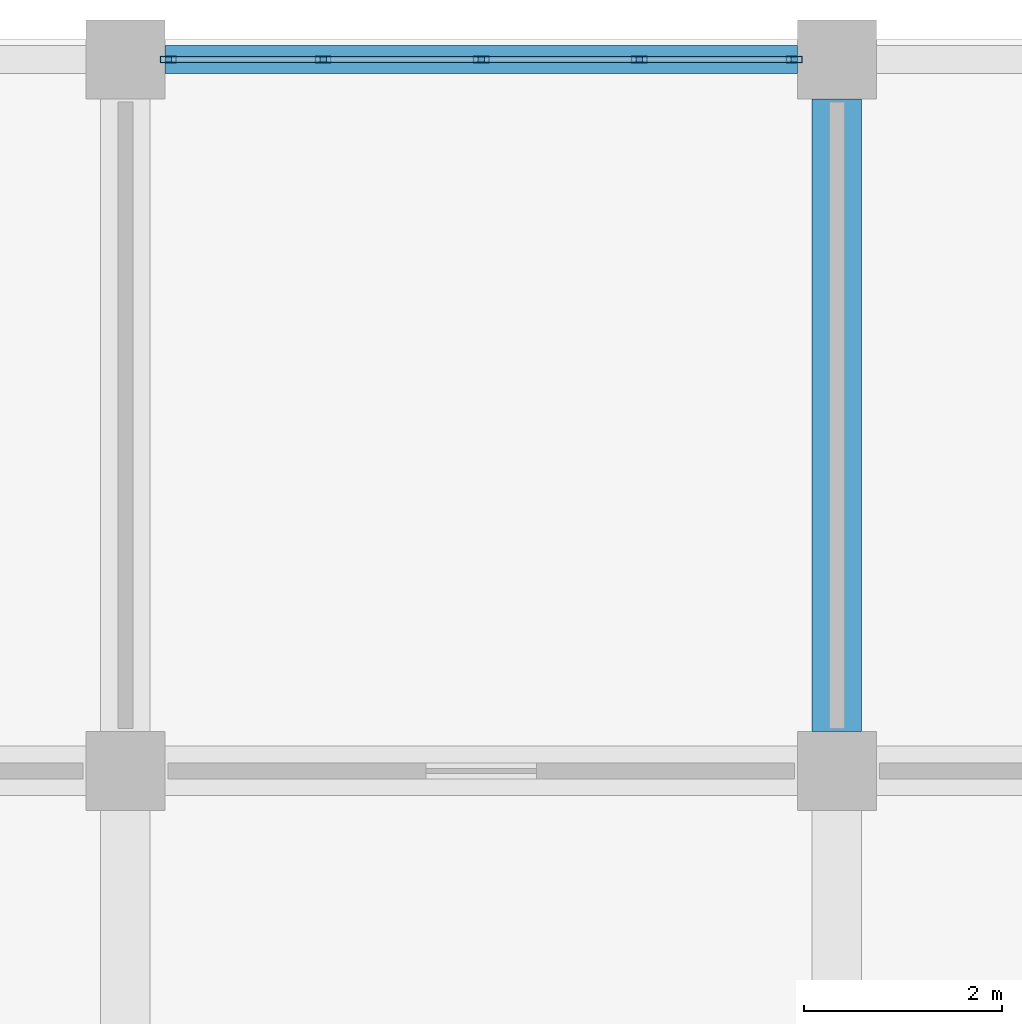
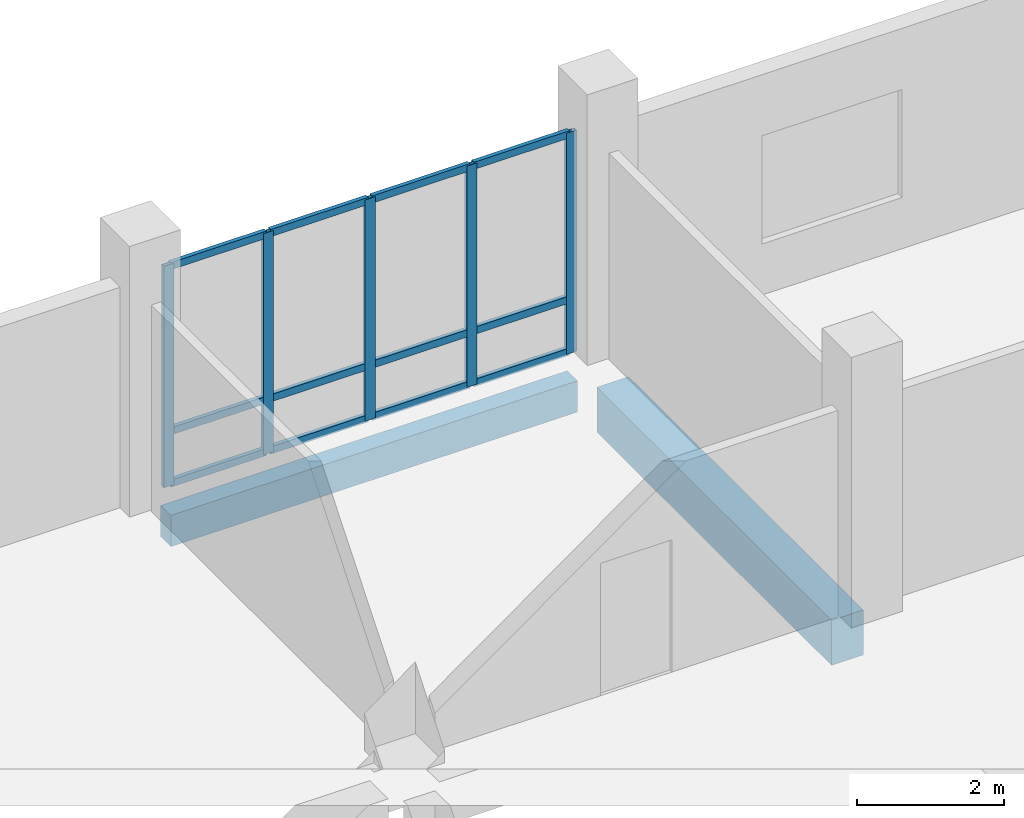
# One storey, part 62 of 139: 17 members, 2 beams, 1 element without a shape of its own.
"""IFC4 building model written with IfcOpenShell, lengths in metres."""

from ifc_helpers import new_model, si_unit, direction, frame, origin, origin_2d, place, context, subcontext, project, spatial, rectangle, hollow_rectangle, extrude, material, material_profile, profile_set, type_object, element, aggregate, save


model = new_model("IFC4")

# Units and contexts
model_context = context("Model", 3, precision=1e-05, world=origin(), true_north=direction((0.0, 1.0)))
body_context = subcontext(model_context, "Body", "Model", "MODEL_VIEW")
ifc_project = project(units=[si_unit("LENGTHUNIT", "METRE"), si_unit("AREAUNIT", "SQUARE_METRE"), si_unit("VOLUMEUNIT", "CUBIC_METRE"), si_unit("PLANEANGLEUNIT", "RADIAN"), si_unit("MASSUNIT", "GRAM", prefix="KILO")], contexts=[model_context])

# Site, building, storey
site_placement = place(None, origin())
site = spatial("IfcSite", under=ifc_project, at=site_placement, CompositionType="ELEMENT")
building_placement = place(site_placement, origin())
building = spatial("IfcBuilding", under=site, at=building_placement, Name="Suanplinth Sawtooth Commons", CompositionType="ELEMENT")
storey_placement = place(building_placement, origin())
storey = spatial("IfcBuildingStorey", under=building, at=storey_placement, Name="L00", CompositionType="ELEMENT", Elevation=0.0)

# Beams
ifc_material_1 = material(Name="Concrete C40/50", Category="concrete")
ifc_material_profile_1 = material_profile(ifc_material_1, rectangle(XDim=0.5, YDim=0.75, at=origin_2d()), Name="RC-GDR 500x750")
ifc_profile_set_1 = profile_set([ifc_material_profile_1], Name="Concrete C40/50")
beam_type_1 = type_object("IfcBeamType", Name="B-03", PredefinedType="USERDEFINED", material=ifc_profile_set_1)
beam_1_placement = place(storey_placement, frame((93.60009765625, 115.60009765625, -0.784912109375), z_axis=(0.0, 1.0, 0.0), x_axis=(-1.0, 0.0, 0.0)))
element("IfcBeam", 1, at=beam_1_placement, inside=storey, type_object=beam_type_1, Name="BMY-L00-A-13-16", ObjectType="GIRDER", PredefinedType="USERDEFINED", context=body_context, shape_type="SweptSolid", body=[
    extrude(rectangle(XDim=0.5, YDim=0.75, at=origin_2d()), origin(), (0.0, 0.0, 1.0), 6.39990234375),
])
ifc_material_2 = material(Name="Precast concrete C40/50", Category="concrete")
ifc_material_profile_2 = material_profile(ifc_material_2, rectangle(XDim=0.280029296875, YDim=0.52001953125, at=origin_2d()), Name="PC-SP 280x520")
ifc_profile_set_2 = profile_set([ifc_material_profile_2], Name="Precast concrete C40/50")
beam_type_2 = type_object("IfcBeamType", Name="B-08", PredefinedType="SPANDREL", material=ifc_profile_set_2)
beam_2_placement = place(storey_placement, frame((86.800048828125, 122.39990234375, -0.669921875), z_axis=(1.0, 0.0, 0.0), x_axis=(0.0, 1.0, 0.0)))
element("IfcBeam", 2, at=beam_2_placement, inside=storey, type_object=beam_type_2, Name="BMX-L00-A-12-17", PredefinedType="SPANDREL", context=body_context, shape_type="SweptSolid", body=[
    extrude(rectangle(XDim=0.280029296875, YDim=0.52001953125, at=origin_2d()), origin(), (0.0, 0.0, 1.0), 6.39990234375),
])

# Curtain wall, members
ifc_material_3 = material(Name="Anodized aluminium and low-E glazing", Category="aluminium")
curtain_wall_type = type_object("IfcCurtainWallType", Name="CW-04", PredefinedType="USERDEFINED", material=ifc_material_3)
curtain_wall_placement = place(storey_placement, origin())
curtain_wall = element("IfcCurtainWall", 3, at=curtain_wall_placement, inside=storey, type_object=curtain_wall_type, Name="Curtain Wall CW-L00-A-N-12", ObjectType="CURTAIN WALL", PredefinedType="USERDEFINED")
ifc_material_4 = material(Name="Anodized aluminium 6063-T6", Category="aluminium")
ifc_material_profile_3 = material_profile(ifc_material_4, hollow_rectangle(XDim=0.06494140625, YDim=0.159912109375, WallThickness=0.00390625, at=origin_2d()), Name="ALU-MUL 65x160")
ifc_profile_set_3 = profile_set([ifc_material_profile_3], Name="Anodized aluminium 6063-T6")
member_type_1 = type_object("IfcMemberType", Name="M-13", PredefinedType="MULLION", material=ifc_profile_set_3)
member_1_placement = place(storey_placement, frame((86.83251953125, 122.39990234375, 0.0), z_axis=(0.0, 0.0, 1.0), x_axis=(0.0, 1.0, 0.0)))
member_1 = element("IfcMember", 4, at=member_1_placement, type_object=member_type_1, Name="CW-04 mullion 1", PredefinedType="MULLION", context=body_context, shape_type="SweptSolid", body=[
    extrude(hollow_rectangle(XDim=0.06494140625, YDim=0.159912109375, WallThickness=0.00390625, at=origin_2d()), origin(), (0.0, 0.0, 1.0), 3.679931640625),
])
member_2_placement = place(storey_placement, frame((88.39990234375, 122.39990234375, 0.0), z_axis=(0.0, 0.0, 1.0), x_axis=(0.0, 1.0, 0.0)))
member_2 = element("IfcMember", 5, at=member_2_placement, type_object=member_type_1, Name="CW-04 mullion 2", PredefinedType="MULLION", context=body_context, shape_type="SweptSolid", body=[
    extrude(hollow_rectangle(XDim=0.06494140625, YDim=0.159912109375, WallThickness=0.00390625, at=origin_2d()), origin(), (0.0, 0.0, 1.0), 3.679931640625),
])
member_3_placement = place(storey_placement, frame((90.0, 122.39990234375, 0.0), z_axis=(0.0, 0.0, 1.0), x_axis=(0.0, 1.0, 0.0)))
member_3 = element("IfcMember", 6, at=member_3_placement, type_object=member_type_1, Name="CW-04 mullion 3", PredefinedType="MULLION", context=body_context, shape_type="SweptSolid", body=[
    extrude(hollow_rectangle(XDim=0.06494140625, YDim=0.159912109375, WallThickness=0.00390625, at=origin_2d()), origin(), (0.0, 0.0, 1.0), 3.679931640625),
])
member_4_placement = place(storey_placement, frame((91.60009765625, 122.39990234375, 0.0), z_axis=(0.0, 0.0, 1.0), x_axis=(0.0, 1.0, 0.0)))
member_4 = element("IfcMember", 7, at=member_4_placement, type_object=member_type_1, Name="CW-04 mullion 4", PredefinedType="MULLION", context=body_context, shape_type="SweptSolid", body=[
    extrude(hollow_rectangle(XDim=0.06494140625, YDim=0.159912109375, WallThickness=0.00390625, at=origin_2d()), origin(), (0.0, 0.0, 1.0), 3.679931640625),
])
member_5_placement = place(storey_placement, frame((93.16748046875, 122.39990234375, 0.0), z_axis=(0.0, 0.0, 1.0), x_axis=(0.0, 1.0, 0.0)))
member_5 = element("IfcMember", 8, at=member_5_placement, type_object=member_type_1, Name="CW-04 mullion 5", PredefinedType="MULLION", context=body_context, shape_type="SweptSolid", body=[
    extrude(hollow_rectangle(XDim=0.06494140625, YDim=0.159912109375, WallThickness=0.00390625, at=origin_2d()), origin(), (0.0, 0.0, 1.0), 3.679931640625),
])
ifc_material_profile_4 = material_profile(ifc_material_4, hollow_rectangle(XDim=0.06494140625, YDim=0.1201171875, WallThickness=0.00390625, at=origin_2d()), Name="ALU-TRN 65x120")
ifc_profile_set_4 = profile_set([ifc_material_profile_4], Name="Anodized aluminium 6063-T6")
member_type_2 = type_object("IfcMemberType", Name="M-15", PredefinedType="USERDEFINED", material=ifc_profile_set_4)
member_6_placement = place(storey_placement, frame((86.864990234375, 122.39990234375, 0.032470703125), z_axis=(1.0, 0.0, 0.0), x_axis=(0.0, 1.0, 0.0)))
member_6 = element("IfcMember", 9, at=member_6_placement, type_object=member_type_2, Name="CW-04 transom 1.1", ObjectType="TRANSOM", PredefinedType="USERDEFINED", context=body_context, shape_type="SweptSolid", body=[
    extrude(hollow_rectangle(XDim=0.06494140625, YDim=0.1201171875, WallThickness=0.00390625, at=origin_2d()), origin(), (0.0, 0.0, 1.0), 1.50244140625),
])
member_7_placement = place(storey_placement, frame((86.864990234375, 122.39990234375, 0.89990234375), z_axis=(1.0, 0.0, 0.0), x_axis=(0.0, 1.0, 0.0)))
member_7 = element("IfcMember", 10, at=member_7_placement, type_object=member_type_2, Name="CW-04 transom 1.2", ObjectType="TRANSOM", PredefinedType="USERDEFINED", context=body_context, shape_type="SweptSolid", body=[
    extrude(hollow_rectangle(XDim=0.06494140625, YDim=0.1201171875, WallThickness=0.00390625, at=origin_2d()), origin(), (0.0, 0.0, 1.0), 1.50244140625),
])
member_8_placement = place(storey_placement, frame((86.864990234375, 122.39990234375, 3.6474609375), z_axis=(1.0, 0.0, 0.0), x_axis=(0.0, 1.0, 0.0)))
member_8 = element("IfcMember", 11, at=member_8_placement, type_object=member_type_2, Name="CW-04 transom 1.3", ObjectType="TRANSOM", PredefinedType="USERDEFINED", context=body_context, shape_type="SweptSolid", body=[
    extrude(hollow_rectangle(XDim=0.06494140625, YDim=0.1201171875, WallThickness=0.00390625, at=origin_2d()), origin(), (0.0, 0.0, 1.0), 1.50244140625),
])
member_9_placement = place(storey_placement, frame((88.4326171875, 122.39990234375, 0.032470703125), z_axis=(1.0, 0.0, 0.0), x_axis=(0.0, 1.0, 0.0)))
member_9 = element("IfcMember", 12, at=member_9_placement, type_object=member_type_2, Name="CW-04 transom 2.1", ObjectType="TRANSOM", PredefinedType="USERDEFINED", context=body_context, shape_type="SweptSolid", body=[
    extrude(hollow_rectangle(XDim=0.06494140625, YDim=0.1201171875, WallThickness=0.00390625, at=origin_2d()), origin(), (0.0, 0.0, 1.0), 1.534912109375),
])
member_10_placement = place(storey_placement, frame((88.4326171875, 122.39990234375, 0.89990234375), z_axis=(1.0, 0.0, 0.0), x_axis=(0.0, 1.0, 0.0)))
member_10 = element("IfcMember", 13, at=member_10_placement, type_object=member_type_2, Name="CW-04 transom 2.2", ObjectType="TRANSOM", PredefinedType="USERDEFINED", context=body_context, shape_type="SweptSolid", body=[
    extrude(hollow_rectangle(XDim=0.06494140625, YDim=0.1201171875, WallThickness=0.00390625, at=origin_2d()), origin(), (0.0, 0.0, 1.0), 1.534912109375),
])
member_11_placement = place(storey_placement, frame((88.4326171875, 122.39990234375, 3.6474609375), z_axis=(1.0, 0.0, 0.0), x_axis=(0.0, 1.0, 0.0)))
member_11 = element("IfcMember", 14, at=member_11_placement, type_object=member_type_2, Name="CW-04 transom 2.3", ObjectType="TRANSOM", PredefinedType="USERDEFINED", context=body_context, shape_type="SweptSolid", body=[
    extrude(hollow_rectangle(XDim=0.06494140625, YDim=0.1201171875, WallThickness=0.00390625, at=origin_2d()), origin(), (0.0, 0.0, 1.0), 1.534912109375),
])
member_12_placement = place(storey_placement, frame((90.032470703125, 122.39990234375, 0.032470703125), z_axis=(1.0, 0.0, 0.0), x_axis=(0.0, 1.0, 0.0)))
member_12 = element("IfcMember", 15, at=member_12_placement, type_object=member_type_2, Name="CW-04 transom 3.1", ObjectType="TRANSOM", PredefinedType="USERDEFINED", context=body_context, shape_type="SweptSolid", body=[
    extrude(hollow_rectangle(XDim=0.06494140625, YDim=0.1201171875, WallThickness=0.00390625, at=origin_2d()), origin(), (0.0, 0.0, 1.0), 1.534912109375),
])
member_13_placement = place(storey_placement, frame((90.032470703125, 122.39990234375, 0.89990234375), z_axis=(1.0, 0.0, 0.0), x_axis=(0.0, 1.0, 0.0)))
member_13 = element("IfcMember", 16, at=member_13_placement, type_object=member_type_2, Name="CW-04 transom 3.2", ObjectType="TRANSOM", PredefinedType="USERDEFINED", context=body_context, shape_type="SweptSolid", body=[
    extrude(hollow_rectangle(XDim=0.06494140625, YDim=0.1201171875, WallThickness=0.00390625, at=origin_2d()), origin(), (0.0, 0.0, 1.0), 1.534912109375),
])
member_14_placement = place(storey_placement, frame((90.032470703125, 122.39990234375, 3.6474609375), z_axis=(1.0, 0.0, 0.0), x_axis=(0.0, 1.0, 0.0)))
member_14 = element("IfcMember", 17, at=member_14_placement, type_object=member_type_2, Name="CW-04 transom 3.3", ObjectType="TRANSOM", PredefinedType="USERDEFINED", context=body_context, shape_type="SweptSolid", body=[
    extrude(hollow_rectangle(XDim=0.06494140625, YDim=0.1201171875, WallThickness=0.00390625, at=origin_2d()), origin(), (0.0, 0.0, 1.0), 1.534912109375),
])
member_15_placement = place(storey_placement, frame((91.632568359375, 122.39990234375, 0.032470703125), z_axis=(1.0, 0.0, 0.0), x_axis=(0.0, 1.0, 0.0)))
member_15 = element("IfcMember", 18, at=member_15_placement, type_object=member_type_2, Name="CW-04 transom 4.1", ObjectType="TRANSOM", PredefinedType="USERDEFINED", context=body_context, shape_type="SweptSolid", body=[
    extrude(hollow_rectangle(XDim=0.06494140625, YDim=0.1201171875, WallThickness=0.00390625, at=origin_2d()), origin(), (0.0, 0.0, 1.0), 1.50244140625),
])
member_16_placement = place(storey_placement, frame((91.632568359375, 122.39990234375, 0.89990234375), z_axis=(1.0, 0.0, 0.0), x_axis=(0.0, 1.0, 0.0)))
member_16 = element("IfcMember", 19, at=member_16_placement, type_object=member_type_2, Name="CW-04 transom 4.2", ObjectType="TRANSOM", PredefinedType="USERDEFINED", context=body_context, shape_type="SweptSolid", body=[
    extrude(hollow_rectangle(XDim=0.06494140625, YDim=0.1201171875, WallThickness=0.00390625, at=origin_2d()), origin(), (0.0, 0.0, 1.0), 1.50244140625),
])
member_17_placement = place(storey_placement, frame((91.632568359375, 122.39990234375, 3.6474609375), z_axis=(1.0, 0.0, 0.0), x_axis=(0.0, 1.0, 0.0)))
member_17 = element("IfcMember", 20, at=member_17_placement, type_object=member_type_2, Name="CW-04 transom 4.3", ObjectType="TRANSOM", PredefinedType="USERDEFINED", context=body_context, shape_type="SweptSolid", body=[
    extrude(hollow_rectangle(XDim=0.06494140625, YDim=0.1201171875, WallThickness=0.00390625, at=origin_2d()), origin(), (0.0, 0.0, 1.0), 1.50244140625),
])
aggregate(curtain_wall, [member_1, member_2, member_3, member_4, member_5, member_6, member_7, member_8, member_9, member_10, member_11, member_12, member_13, member_14, member_15, member_16, member_17])

save(model, "model.ifc")
